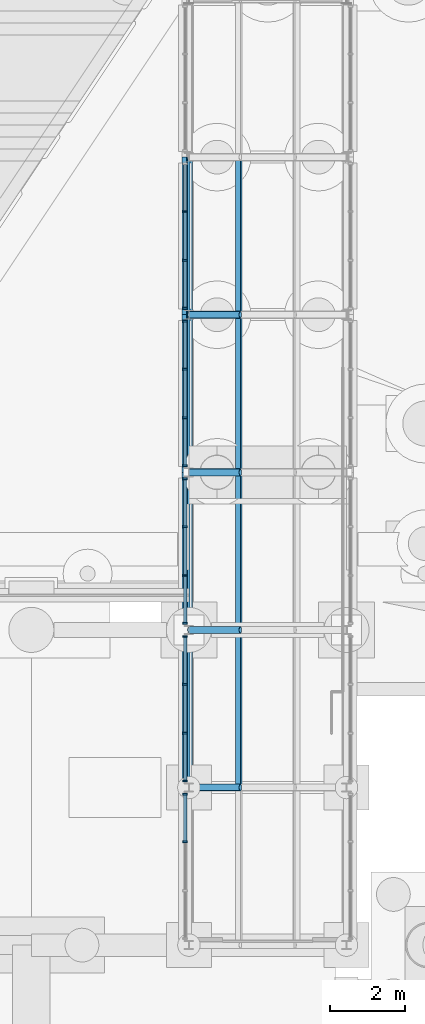
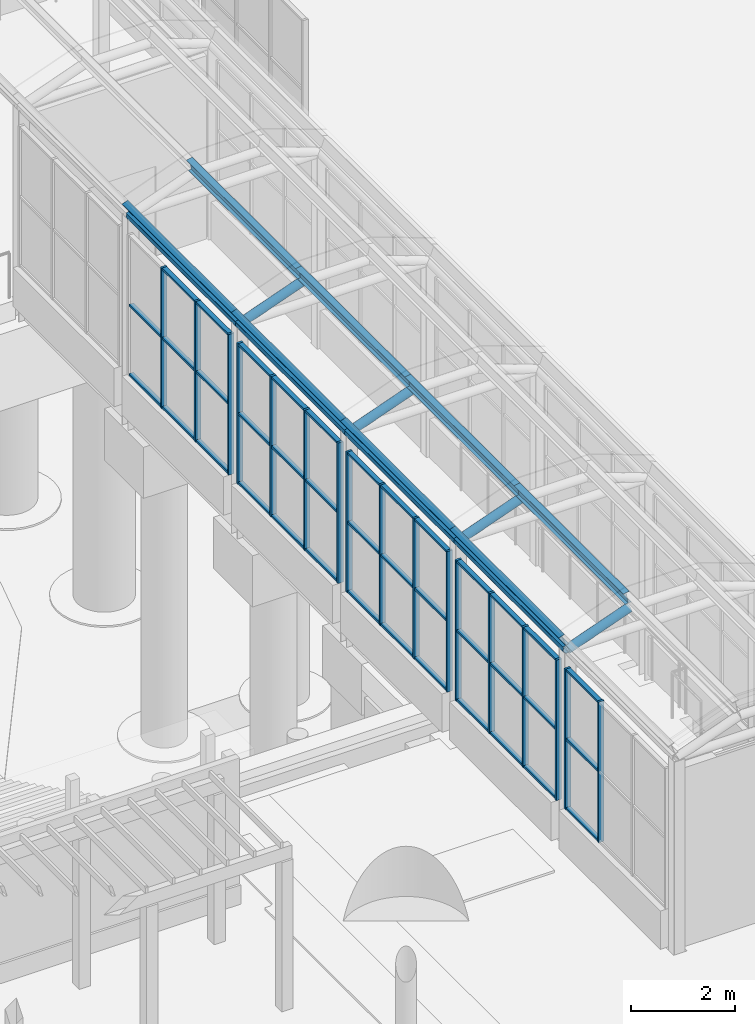
# One storey, part 62 of 222: 63 members, 8 beams, 5 elements without a shape of their own.
"""IFC4 building model written with IfcOpenShell, lengths in metres."""

from ifc_helpers import new_model, si_unit, direction, frame, origin, origin_2d, place, context, subcontext, project, spatial, rectangle, hollow_circle, i_section, extrude, material, material_profile, profile_set, type_object, element, aggregate, save


model = new_model("IFC4")

# Units and contexts
model_context = context("Model", 3, precision=1e-05, world=origin(), true_north=direction((0.0, 1.0)))
body_context = subcontext(model_context, "Body", "Model", "MODEL_VIEW")
ifc_project = project(units=[si_unit("LENGTHUNIT", "METRE"), si_unit("AREAUNIT", "SQUARE_METRE"), si_unit("VOLUMEUNIT", "CUBIC_METRE"), si_unit("PLANEANGLEUNIT", "RADIAN"), si_unit("MASSUNIT", "GRAM", prefix="KILO")], contexts=[model_context])

# Site, building, storey
site_placement = place(None, origin())
site = spatial("IfcSite", under=ifc_project, at=site_placement, CompositionType="ELEMENT")
building_placement = place(site_placement, origin())
building = spatial("IfcBuilding", under=site, at=building_placement, Name="Sava Quay Ferry Terminal", CompositionType="ELEMENT")
storey_placement = place(building_placement, origin())
storey = spatial("IfcBuildingStorey", under=building, at=storey_placement, Name="L00", CompositionType="ELEMENT", Elevation=0.0)

# Beams
ifc_material_1 = material(Name="Steel S355", Category="steel")
ifc_material_profile_1 = material_profile(ifc_material_1, hollow_circle(Radius=0.096923828125, WallThickness=0.008056640625, at=origin_2d()), Name="CHS 193.7 x 8.0")
ifc_profile_set_1 = profile_set([ifc_material_profile_1], Name="Steel S355")
beam_type_1 = type_object("IfcBeamType", Name="Gallery eave beam CHS 193.7x8", PredefinedType="BEAM", material=ifc_profile_set_1)
beam_placement = place(storey_placement, frame((46.199951171875, 113.39990234375, 4.5), z_axis=(0.0, 1.0, 0.0), x_axis=(-1.0, 0.0, 0.0)))
element("IfcBeam", 1, at=beam_placement, inside=storey, type_object=beam_type_1, Name="Boarding gallery B1 eave beam L2", PredefinedType="BEAM", context=body_context, shape_type="SweptSolid", body=[
    extrude(hollow_circle(Radius=0.096923828125, WallThickness=0.008056640625, at=origin_2d()), origin(), (0.0, 0.0, 1.0), 4.2001953125),
])
for number, where, z_axis, x_axis, name in (
    (2, (46.199951171875, 117.60009765625, 4.5), (0.0, 1.0, 0.0), (-1.0, 0.0, 0.0), "Boarding gallery B1 eave beam L3"),
    (3, (46.199951171875, 121.800048828125, 4.5), (0.0, 1.0, 0.0), (-1.0, 0.0, 0.0), "Boarding gallery B1 eave beam L4"),
    (4, (46.199951171875, 126.0, 4.5), (0.0, 1.0, 0.0), (-1.0, 0.0, 0.0), "Boarding gallery B1 eave beam L5"),
):
    element("IfcBeam", number, at=place(storey_placement, frame(where, z_axis=z_axis, x_axis=x_axis)), inside=storey, type_object=beam_type_1, Name=name, PredefinedType="BEAM", context=body_context, shape_type="SweptSolid", body=[
        extrude(hollow_circle(Radius=0.096923828125, WallThickness=0.008056640625, at=origin_2d()), origin(), (0.0, 0.0, 1.0), 4.199951171875),
    ])

# Members
ifc_material_2 = material(Name="Steel S355", Category="steel")
ifc_material_profile_2 = material_profile(ifc_material_2, i_section(OverallWidth=0.135009765625, OverallDepth=0.27001953125, WebThickness=0.006591796875, FlangeThickness=0.01025390625, at=origin_2d()), Name="IPE 270")
ifc_profile_set_2 = profile_set([ifc_material_profile_2], Name="Steel S355")
member_type_1 = type_object("IfcMemberType", Name="Gallery purlin IPE 270", PredefinedType="PURLIN", material=ifc_profile_set_2)
for number, where, z_axis, x_axis, name in (
    (5, (46.12060546875, 113.39990234375, 4.718017578125), (0.0, 1.0, 0.0), (-0.939692620786, 0.0, -0.342020143326), "Boarding gallery B1 edge purlin bay 2 V0"),
    (6, (47.52978515625, 113.39990234375, 5.230712890625), (0.0, 1.0, 0.0), (-0.984807753012, 0.0, -0.173648177667), "Boarding gallery B1 purlin bay 2 V1"),
):
    element("IfcMember", number, at=place(storey_placement, frame(where, z_axis=z_axis, x_axis=x_axis)), inside=storey, type_object=member_type_1, Name=name, PredefinedType="PURLIN", context=body_context, shape_type="SweptSolid", body=[
        extrude(i_section(OverallWidth=0.135009765625, OverallDepth=0.27001953125, WebThickness=0.006591796875, FlangeThickness=0.01025390625, at=origin_2d()), origin(), (0.0, 0.0, 1.0), 4.2001953125),
    ])
for number, where, z_axis, x_axis, name in (
    (7, (46.12060546875, 117.60009765625, 4.718017578125), (0.0, 1.0, 0.0), (-0.939692620786, 0.0, -0.342020143326), "Boarding gallery B1 edge purlin bay 3 V0"),
    (8, (47.52978515625, 117.60009765625, 5.230712890625), (0.0, 1.0, 0.0), (-0.984807753012, 0.0, -0.173648177667), "Boarding gallery B1 purlin bay 3 V1"),
    (9, (46.12060546875, 121.800048828125, 4.718017578125), (0.0, 1.0, 0.0), (-0.939692620786, 0.0, -0.342020143326), "Boarding gallery B1 edge purlin bay 4 V0"),
    (10, (47.52978515625, 121.800048828125, 5.230712890625), (0.0, 1.0, 0.0), (-0.984807753012, 0.0, -0.173648177667), "Boarding gallery B1 purlin bay 4 V1"),
    (11, (46.12060546875, 126.0, 4.718017578125), (0.0, 1.0, 0.0), (-0.939692620786, 0.0, -0.342020143326), "Boarding gallery B1 edge purlin bay 5 V0"),
    (12, (47.52978515625, 126.0, 5.230712890625), (0.0, 1.0, 0.0), (-0.984807753012, 0.0, -0.173648177667), "Boarding gallery B1 purlin bay 5 V1"),
):
    element("IfcMember", number, at=place(storey_placement, frame(where, z_axis=z_axis, x_axis=x_axis)), inside=storey, type_object=member_type_1, Name=name, PredefinedType="PURLIN", context=body_context, shape_type="SweptSolid", body=[
        extrude(i_section(OverallWidth=0.135009765625, OverallDepth=0.27001953125, WebThickness=0.006591796875, FlangeThickness=0.01025390625, at=origin_2d()), origin(), (0.0, 0.0, 1.0), 4.199951171875),
    ])

# Beams
ifc_material_3 = material(Name="Steel S355", Category="steel")
ifc_material_profile_3 = material_profile(ifc_material_3, hollow_circle(Radius=0.096923828125, WallThickness=0.008056640625, at=origin_2d()), Name="CHS 193.7 x 8.0")
ifc_profile_set_3 = profile_set([ifc_material_profile_3], Name="Steel S355")
beam_type_2 = type_object("IfcBeamType", Name="Gallery rib CHS 193.7x8", PredefinedType="BEAM", material=ifc_profile_set_3)
for number, where, z_axis, x_axis, name in (
    (13, (46.199951171875, 113.39990234375, 4.5), (0.939710313144, 0.0, 0.341971530059), (0.0, 1.0, 0.0), "Boarding gallery B1 arch rib R1 seg 1"),
    (14, (46.199951171875, 117.60009765625, 4.5), (0.939710313144, 0.0, 0.341971530059), (0.0, 1.0, 0.0), "Boarding gallery B1 arch rib R2 seg 1"),
    (15, (46.199951171875, 121.800048828125, 4.5), (0.939710313144, 0.0, 0.341971530059), (0.0, 1.0, 0.0), "Boarding gallery B1 arch rib R3 seg 1"),
    (16, (46.199951171875, 126.0, 4.5), (0.939710313144, 0.0, 0.341971530059), (0.0, 1.0, 0.0), "Boarding gallery B1 arch rib R4 seg 1"),
):
    element("IfcBeam", number, at=place(storey_placement, frame(where, z_axis=z_axis, x_axis=x_axis)), inside=storey, type_object=beam_type_2, Name=name, PredefinedType="BEAM", context=body_context, shape_type="SweptSolid", body=[
        extrude(hollow_circle(Radius=0.096923828125, WallThickness=0.008056640625, at=origin_2d()), origin(), (0.0, 0.0, 1.0), 1.45849609375),
    ])

# Curtain wall, members
ifc_material_4 = material(Name="Aluminium and glass curtain wall, double glazed", Category="aluminium")
curtain_wall_type = type_object("IfcCurtainWallType", Name="Curtain wall CW-B gallery", PredefinedType="NOTDEFINED", material=ifc_material_4)
curtain_wall_1_placement = place(storey_placement, origin())
curtain_wall_1 = element("IfcCurtainWall", 17, at=curtain_wall_1_placement, inside=storey, type_object=curtain_wall_type, Name="Curtain wall B1-W L00 bay 1", PredefinedType="NOTDEFINED")
ifc_material_5 = material(Name="Aluminium EN AW-6063 T6", Category="aluminium")
ifc_material_profile_4 = material_profile(ifc_material_5, rectangle(XDim=0.1201171875, YDim=0.050048828125, at=origin_2d()), Name="Mullion 50x120 aluminium")
ifc_profile_set_4 = profile_set([ifc_material_profile_4], Name="Aluminium EN AW-6063 T6")
member_type_2 = type_object("IfcMemberType", Name="Mullion 50x120 aluminium", PredefinedType="MULLION", material=ifc_profile_set_4)
member_1_placement = place(storey_placement, frame((46.10009765625, 111.949951171875, 0.89990234375), z_axis=(0.0, 0.0, 1.0), x_axis=(-1.0, 0.0, 0.0)))
member_1 = element("IfcMember", 18, at=member_1_placement, type_object=member_type_2, Name="CW13 mullion 3", PredefinedType="MULLION", context=body_context, shape_type="SweptSolid", body=[
    extrude(rectangle(XDim=0.1201171875, YDim=0.050048828125, at=origin_2d()), origin(), (0.0, 0.0, 1.0), 3.300048828125),
])
member_2_placement = place(storey_placement, frame((46.10009765625, 113.22509765625, 0.89990234375), z_axis=(0.0, 0.0, 1.0), x_axis=(-1.0, 0.0, 0.0)))
member_2 = element("IfcMember", 19, at=member_2_placement, type_object=member_type_2, Name="CW13 mullion 4", PredefinedType="MULLION", context=body_context, shape_type="SweptSolid", body=[
    extrude(rectangle(XDim=0.1201171875, YDim=0.050048828125, at=origin_2d()), origin(), (0.0, 0.0, 1.0), 3.300048828125),
])

curtain_wall_2_placement = place(storey_placement, origin())
curtain_wall_2 = element("IfcCurtainWall", 20, at=curtain_wall_2_placement, inside=storey, type_object=curtain_wall_type, Name="Curtain wall B1-W L00 bay 2", PredefinedType="NOTDEFINED")
member_3_placement = place(storey_placement, frame((46.10009765625, 113.574951171875, 0.89990234375), z_axis=(0.0, 0.0, 1.0), x_axis=(-1.0, 0.0, 0.0)))
member_3 = element("IfcMember", 21, at=member_3_placement, type_object=member_type_2, Name="CW14 mullion 1", PredefinedType="MULLION", context=body_context, shape_type="SweptSolid", body=[
    extrude(rectangle(XDim=0.1201171875, YDim=0.050048828125, at=origin_2d()), origin(), (0.0, 0.0, 1.0), 3.300048828125),
])
member_4_placement = place(storey_placement, frame((46.10009765625, 114.85009765625, 0.89990234375), z_axis=(0.0, 0.0, 1.0), x_axis=(-1.0, 0.0, 0.0)))
member_4 = element("IfcMember", 22, at=member_4_placement, type_object=member_type_2, Name="CW14 mullion 2", PredefinedType="MULLION", context=body_context, shape_type="SweptSolid", body=[
    extrude(rectangle(XDim=0.1201171875, YDim=0.050048828125, at=origin_2d()), origin(), (0.0, 0.0, 1.0), 3.300048828125),
])
member_5_placement = place(storey_placement, frame((46.10009765625, 116.14990234375, 0.89990234375), z_axis=(0.0, 0.0, 1.0), x_axis=(-1.0, 0.0, 0.0)))
member_5 = element("IfcMember", 23, at=member_5_placement, type_object=member_type_2, Name="CW14 mullion 3", PredefinedType="MULLION", context=body_context, shape_type="SweptSolid", body=[
    extrude(rectangle(XDim=0.1201171875, YDim=0.050048828125, at=origin_2d()), origin(), (0.0, 0.0, 1.0), 3.300048828125),
])
member_6_placement = place(storey_placement, frame((46.10009765625, 117.425048828125, 0.89990234375), z_axis=(0.0, 0.0, 1.0), x_axis=(-1.0, 0.0, 0.0)))
member_6 = element("IfcMember", 24, at=member_6_placement, type_object=member_type_2, Name="CW14 mullion 4", PredefinedType="MULLION", context=body_context, shape_type="SweptSolid", body=[
    extrude(rectangle(XDim=0.1201171875, YDim=0.050048828125, at=origin_2d()), origin(), (0.0, 0.0, 1.0), 3.300048828125),
])

curtain_wall_3_placement = place(storey_placement, origin())
curtain_wall_3 = element("IfcCurtainWall", 25, at=curtain_wall_3_placement, inside=storey, type_object=curtain_wall_type, Name="Curtain wall B1-W L00 bay 3", PredefinedType="NOTDEFINED")
member_7_placement = place(storey_placement, frame((46.10009765625, 117.77490234375, 0.89990234375), z_axis=(0.0, 0.0, 1.0), x_axis=(-1.0, 0.0, 0.0)))
member_7 = element("IfcMember", 26, at=member_7_placement, type_object=member_type_2, Name="CW15 mullion 1", PredefinedType="MULLION", context=body_context, shape_type="SweptSolid", body=[
    extrude(rectangle(XDim=0.1201171875, YDim=0.050048828125, at=origin_2d()), origin(), (0.0, 0.0, 1.0), 3.300048828125),
])
member_8_placement = place(storey_placement, frame((46.10009765625, 119.050048828125, 0.89990234375), z_axis=(0.0, 0.0, 1.0), x_axis=(-1.0, 0.0, 0.0)))
member_8 = element("IfcMember", 27, at=member_8_placement, type_object=member_type_2, Name="CW15 mullion 2", PredefinedType="MULLION", context=body_context, shape_type="SweptSolid", body=[
    extrude(rectangle(XDim=0.1201171875, YDim=0.050048828125, at=origin_2d()), origin(), (0.0, 0.0, 1.0), 3.300048828125),
])
member_9_placement = place(storey_placement, frame((46.10009765625, 120.35009765625, 0.89990234375), z_axis=(0.0, 0.0, 1.0), x_axis=(-1.0, 0.0, 0.0)))
member_9 = element("IfcMember", 28, at=member_9_placement, type_object=member_type_2, Name="CW15 mullion 3", PredefinedType="MULLION", context=body_context, shape_type="SweptSolid", body=[
    extrude(rectangle(XDim=0.1201171875, YDim=0.050048828125, at=origin_2d()), origin(), (0.0, 0.0, 1.0), 3.300048828125),
])
member_10_placement = place(storey_placement, frame((46.10009765625, 121.625, 0.89990234375), z_axis=(0.0, 0.0, 1.0), x_axis=(-1.0, 0.0, 0.0)))
member_10 = element("IfcMember", 29, at=member_10_placement, type_object=member_type_2, Name="CW15 mullion 4", PredefinedType="MULLION", context=body_context, shape_type="SweptSolid", body=[
    extrude(rectangle(XDim=0.1201171875, YDim=0.050048828125, at=origin_2d()), origin(), (0.0, 0.0, 1.0), 3.300048828125),
])

curtain_wall_4_placement = place(storey_placement, origin())
curtain_wall_4 = element("IfcCurtainWall", 30, at=curtain_wall_4_placement, inside=storey, type_object=curtain_wall_type, Name="Curtain wall B1-W L00 bay 4", PredefinedType="NOTDEFINED")
member_11_placement = place(storey_placement, frame((46.10009765625, 121.97509765625, 0.89990234375), z_axis=(0.0, 0.0, 1.0), x_axis=(-1.0, 0.0, 0.0)))
member_11 = element("IfcMember", 31, at=member_11_placement, type_object=member_type_2, Name="CW16 mullion 1", PredefinedType="MULLION", context=body_context, shape_type="SweptSolid", body=[
    extrude(rectangle(XDim=0.1201171875, YDim=0.050048828125, at=origin_2d()), origin(), (0.0, 0.0, 1.0), 3.300048828125),
])
member_12_placement = place(storey_placement, frame((46.10009765625, 123.25, 0.89990234375), z_axis=(0.0, 0.0, 1.0), x_axis=(-1.0, 0.0, 0.0)))
member_12 = element("IfcMember", 32, at=member_12_placement, type_object=member_type_2, Name="CW16 mullion 2", PredefinedType="MULLION", context=body_context, shape_type="SweptSolid", body=[
    extrude(rectangle(XDim=0.1201171875, YDim=0.050048828125, at=origin_2d()), origin(), (0.0, 0.0, 1.0), 3.300048828125),
])
member_13_placement = place(storey_placement, frame((46.10009765625, 124.550048828125, 0.89990234375), z_axis=(0.0, 0.0, 1.0), x_axis=(-1.0, 0.0, 0.0)))
member_13 = element("IfcMember", 33, at=member_13_placement, type_object=member_type_2, Name="CW16 mullion 3", PredefinedType="MULLION", context=body_context, shape_type="SweptSolid", body=[
    extrude(rectangle(XDim=0.1201171875, YDim=0.050048828125, at=origin_2d()), origin(), (0.0, 0.0, 1.0), 3.300048828125),
])
member_14_placement = place(storey_placement, frame((46.10009765625, 125.824951171875, 0.89990234375), z_axis=(0.0, 0.0, 1.0), x_axis=(-1.0, 0.0, 0.0)))
member_14 = element("IfcMember", 34, at=member_14_placement, type_object=member_type_2, Name="CW16 mullion 4", PredefinedType="MULLION", context=body_context, shape_type="SweptSolid", body=[
    extrude(rectangle(XDim=0.1201171875, YDim=0.050048828125, at=origin_2d()), origin(), (0.0, 0.0, 1.0), 3.300048828125),
])

curtain_wall_5_placement = place(storey_placement, origin())
curtain_wall_5 = element("IfcCurtainWall", 35, at=curtain_wall_5_placement, inside=storey, type_object=curtain_wall_type, Name="Curtain wall B1-W L00 bay 5", PredefinedType="NOTDEFINED")
member_15_placement = place(storey_placement, frame((46.10009765625, 126.175048828125, 0.89990234375), z_axis=(0.0, 0.0, 1.0), x_axis=(-1.0, 0.0, 0.0)))
member_15 = element("IfcMember", 36, at=member_15_placement, type_object=member_type_2, Name="CW17 mullion 1", PredefinedType="MULLION", context=body_context, shape_type="SweptSolid", body=[
    extrude(rectangle(XDim=0.1201171875, YDim=0.050048828125, at=origin_2d()), origin(), (0.0, 0.0, 1.0), 3.300048828125),
])
member_16_placement = place(storey_placement, frame((46.10009765625, 127.449951171875, 0.89990234375), z_axis=(0.0, 0.0, 1.0), x_axis=(-1.0, 0.0, 0.0)))
member_16 = element("IfcMember", 37, at=member_16_placement, type_object=member_type_2, Name="CW17 mullion 2", PredefinedType="MULLION", context=body_context, shape_type="SweptSolid", body=[
    extrude(rectangle(XDim=0.1201171875, YDim=0.050048828125, at=origin_2d()), origin(), (0.0, 0.0, 1.0), 3.300048828125),
])
member_17_placement = place(storey_placement, frame((46.10009765625, 128.75, 0.89990234375), z_axis=(0.0, 0.0, 1.0), x_axis=(-1.0, 0.0, 0.0)))
member_17 = element("IfcMember", 38, at=member_17_placement, type_object=member_type_2, Name="CW17 mullion 3", PredefinedType="MULLION", context=body_context, shape_type="SweptSolid", body=[
    extrude(rectangle(XDim=0.1201171875, YDim=0.050048828125, at=origin_2d()), origin(), (0.0, 0.0, 1.0), 3.300048828125),
])

# Member
ifc_material_6 = material(Name="Aluminium EN AW-6063 T6", Category="aluminium")
ifc_material_profile_5 = material_profile(ifc_material_6, rectangle(XDim=0.10009765625, YDim=0.050048828125, at=origin_2d()), Name="Transom 50x100 aluminium")
ifc_profile_set_5 = profile_set([ifc_material_profile_5], Name="Aluminium EN AW-6063 T6")
member_type_3 = type_object("IfcMemberType", Name="Transom 50x100 aluminium", PredefinedType="USERDEFINED", material=ifc_profile_set_5)
member_18_placement = place(storey_placement, frame((46.10009765625, 111.97509765625, 0.925048828125), z_axis=(0.0, 1.0, 0.0), x_axis=(-1.0, 0.0, 0.0)))
member_18 = element("IfcMember", 39, at=member_18_placement, type_object=member_type_3, Name="CW13 transom 3.1", ObjectType="TRANSOM", PredefinedType="USERDEFINED", context=body_context, shape_type="SweptSolid", body=[
    extrude(rectangle(XDim=0.10009765625, YDim=0.050048828125, at=origin_2d()), origin(), (0.0, 0.0, 1.0), 1.224853515625),
])

member_19_placement = place(storey_placement, frame((46.10009765625, 111.97509765625, 2.550048828125), z_axis=(0.0, 1.0, 0.0), x_axis=(-1.0, 0.0, 0.0)))
member_19 = element("IfcMember", 40, at=member_19_placement, type_object=member_type_3, Name="CW13 transom 3.2", ObjectType="TRANSOM", PredefinedType="USERDEFINED", context=body_context, shape_type="SweptSolid", body=[
    extrude(rectangle(XDim=0.10009765625, YDim=0.050048828125, at=origin_2d()), origin(), (0.0, 0.0, 1.0), 1.224853515625),
])

member_20_placement = place(storey_placement, frame((46.10009765625, 111.97509765625, 4.175048828125), z_axis=(0.0, 1.0, 0.0), x_axis=(-1.0, 0.0, 0.0)))
member_20 = element("IfcMember", 41, at=member_20_placement, type_object=member_type_3, Name="CW13 transom 3.3", ObjectType="TRANSOM", PredefinedType="USERDEFINED", context=body_context, shape_type="SweptSolid", body=[
    extrude(rectangle(XDim=0.10009765625, YDim=0.050048828125, at=origin_2d()), origin(), (0.0, 0.0, 1.0), 1.224853515625),
])

aggregate(curtain_wall_1, [member_1, member_2, member_18, member_19, member_20])

member_21_placement = place(storey_placement, frame((46.10009765625, 113.60009765625, 0.925048828125), z_axis=(0.0, 1.0, 0.0), x_axis=(-1.0, 0.0, 0.0)))
member_21 = element("IfcMember", 42, at=member_21_placement, type_object=member_type_3, Name="CW14 transom 1.1", ObjectType="TRANSOM", PredefinedType="USERDEFINED", context=body_context, shape_type="SweptSolid", body=[
    extrude(rectangle(XDim=0.10009765625, YDim=0.050048828125, at=origin_2d()), origin(), (0.0, 0.0, 1.0), 1.224853515625),
])

member_22_placement = place(storey_placement, frame((46.10009765625, 113.60009765625, 2.550048828125), z_axis=(0.0, 1.0, 0.0), x_axis=(-1.0, 0.0, 0.0)))
member_22 = element("IfcMember", 43, at=member_22_placement, type_object=member_type_3, Name="CW14 transom 1.2", ObjectType="TRANSOM", PredefinedType="USERDEFINED", context=body_context, shape_type="SweptSolid", body=[
    extrude(rectangle(XDim=0.10009765625, YDim=0.050048828125, at=origin_2d()), origin(), (0.0, 0.0, 1.0), 1.224853515625),
])

member_23_placement = place(storey_placement, frame((46.10009765625, 113.60009765625, 4.175048828125), z_axis=(0.0, 1.0, 0.0), x_axis=(-1.0, 0.0, 0.0)))
member_23 = element("IfcMember", 44, at=member_23_placement, type_object=member_type_3, Name="CW14 transom 1.3", ObjectType="TRANSOM", PredefinedType="USERDEFINED", context=body_context, shape_type="SweptSolid", body=[
    extrude(rectangle(XDim=0.10009765625, YDim=0.050048828125, at=origin_2d()), origin(), (0.0, 0.0, 1.0), 1.224853515625),
])

member_24_placement = place(storey_placement, frame((46.10009765625, 114.875, 0.925048828125), z_axis=(0.0, 1.0, 0.0), x_axis=(-1.0, 0.0, 0.0)))
member_24 = element("IfcMember", 45, at=member_24_placement, type_object=member_type_3, Name="CW14 transom 2.1", ObjectType="TRANSOM", PredefinedType="USERDEFINED", context=body_context, shape_type="SweptSolid", body=[
    extrude(rectangle(XDim=0.10009765625, YDim=0.050048828125, at=origin_2d()), origin(), (0.0, 0.0, 1.0), 1.25),
])

member_25_placement = place(storey_placement, frame((46.10009765625, 114.875, 2.550048828125), z_axis=(0.0, 1.0, 0.0), x_axis=(-1.0, 0.0, 0.0)))
member_25 = element("IfcMember", 46, at=member_25_placement, type_object=member_type_3, Name="CW14 transom 2.2", ObjectType="TRANSOM", PredefinedType="USERDEFINED", context=body_context, shape_type="SweptSolid", body=[
    extrude(rectangle(XDim=0.10009765625, YDim=0.050048828125, at=origin_2d()), origin(), (0.0, 0.0, 1.0), 1.25),
])

member_26_placement = place(storey_placement, frame((46.10009765625, 114.875, 4.175048828125), z_axis=(0.0, 1.0, 0.0), x_axis=(-1.0, 0.0, 0.0)))
member_26 = element("IfcMember", 47, at=member_26_placement, type_object=member_type_3, Name="CW14 transom 2.3", ObjectType="TRANSOM", PredefinedType="USERDEFINED", context=body_context, shape_type="SweptSolid", body=[
    extrude(rectangle(XDim=0.10009765625, YDim=0.050048828125, at=origin_2d()), origin(), (0.0, 0.0, 1.0), 1.25),
])

member_27_placement = place(storey_placement, frame((46.10009765625, 116.175048828125, 0.925048828125), z_axis=(0.0, 1.0, 0.0), x_axis=(-1.0, 0.0, 0.0)))
member_27 = element("IfcMember", 48, at=member_27_placement, type_object=member_type_3, Name="CW14 transom 3.1", ObjectType="TRANSOM", PredefinedType="USERDEFINED", context=body_context, shape_type="SweptSolid", body=[
    extrude(rectangle(XDim=0.10009765625, YDim=0.050048828125, at=origin_2d()), origin(), (0.0, 0.0, 1.0), 1.224853515625),
])

member_28_placement = place(storey_placement, frame((46.10009765625, 116.175048828125, 2.550048828125), z_axis=(0.0, 1.0, 0.0), x_axis=(-1.0, 0.0, 0.0)))
member_28 = element("IfcMember", 49, at=member_28_placement, type_object=member_type_3, Name="CW14 transom 3.2", ObjectType="TRANSOM", PredefinedType="USERDEFINED", context=body_context, shape_type="SweptSolid", body=[
    extrude(rectangle(XDim=0.10009765625, YDim=0.050048828125, at=origin_2d()), origin(), (0.0, 0.0, 1.0), 1.224853515625),
])

member_29_placement = place(storey_placement, frame((46.10009765625, 116.175048828125, 4.175048828125), z_axis=(0.0, 1.0, 0.0), x_axis=(-1.0, 0.0, 0.0)))
member_29 = element("IfcMember", 50, at=member_29_placement, type_object=member_type_3, Name="CW14 transom 3.3", ObjectType="TRANSOM", PredefinedType="USERDEFINED", context=body_context, shape_type="SweptSolid", body=[
    extrude(rectangle(XDim=0.10009765625, YDim=0.050048828125, at=origin_2d()), origin(), (0.0, 0.0, 1.0), 1.224853515625),
])

aggregate(curtain_wall_2, [member_3, member_4, member_5, member_6, member_21, member_22, member_23, member_24, member_25, member_26, member_27, member_28, member_29])

member_30_placement = place(storey_placement, frame((46.10009765625, 117.800048828125, 0.925048828125), z_axis=(0.0, 1.0, 0.0), x_axis=(-1.0, 0.0, 0.0)))
member_30 = element("IfcMember", 51, at=member_30_placement, type_object=member_type_3, Name="CW15 transom 1.1", ObjectType="TRANSOM", PredefinedType="USERDEFINED", context=body_context, shape_type="SweptSolid", body=[
    extrude(rectangle(XDim=0.10009765625, YDim=0.050048828125, at=origin_2d()), origin(), (0.0, 0.0, 1.0), 1.224853515625),
])

member_31_placement = place(storey_placement, frame((46.10009765625, 117.800048828125, 2.550048828125), z_axis=(0.0, 1.0, 0.0), x_axis=(-1.0, 0.0, 0.0)))
member_31 = element("IfcMember", 52, at=member_31_placement, type_object=member_type_3, Name="CW15 transom 1.2", ObjectType="TRANSOM", PredefinedType="USERDEFINED", context=body_context, shape_type="SweptSolid", body=[
    extrude(rectangle(XDim=0.10009765625, YDim=0.050048828125, at=origin_2d()), origin(), (0.0, 0.0, 1.0), 1.224853515625),
])

member_32_placement = place(storey_placement, frame((46.10009765625, 117.800048828125, 4.175048828125), z_axis=(0.0, 1.0, 0.0), x_axis=(-1.0, 0.0, 0.0)))
member_32 = element("IfcMember", 53, at=member_32_placement, type_object=member_type_3, Name="CW15 transom 1.3", ObjectType="TRANSOM", PredefinedType="USERDEFINED", context=body_context, shape_type="SweptSolid", body=[
    extrude(rectangle(XDim=0.10009765625, YDim=0.050048828125, at=origin_2d()), origin(), (0.0, 0.0, 1.0), 1.224853515625),
])

member_33_placement = place(storey_placement, frame((46.10009765625, 119.074951171875, 0.925048828125), z_axis=(0.0, 1.0, 0.0), x_axis=(-1.0, 0.0, 0.0)))
member_33 = element("IfcMember", 54, at=member_33_placement, type_object=member_type_3, Name="CW15 transom 2.1", ObjectType="TRANSOM", PredefinedType="USERDEFINED", context=body_context, shape_type="SweptSolid", body=[
    extrude(rectangle(XDim=0.10009765625, YDim=0.050048828125, at=origin_2d()), origin(), (0.0, 0.0, 1.0), 1.25),
])

member_34_placement = place(storey_placement, frame((46.10009765625, 119.074951171875, 2.550048828125), z_axis=(0.0, 1.0, 0.0), x_axis=(-1.0, 0.0, 0.0)))
member_34 = element("IfcMember", 55, at=member_34_placement, type_object=member_type_3, Name="CW15 transom 2.2", ObjectType="TRANSOM", PredefinedType="USERDEFINED", context=body_context, shape_type="SweptSolid", body=[
    extrude(rectangle(XDim=0.10009765625, YDim=0.050048828125, at=origin_2d()), origin(), (0.0, 0.0, 1.0), 1.25),
])

member_35_placement = place(storey_placement, frame((46.10009765625, 119.074951171875, 4.175048828125), z_axis=(0.0, 1.0, 0.0), x_axis=(-1.0, 0.0, 0.0)))
member_35 = element("IfcMember", 56, at=member_35_placement, type_object=member_type_3, Name="CW15 transom 2.3", ObjectType="TRANSOM", PredefinedType="USERDEFINED", context=body_context, shape_type="SweptSolid", body=[
    extrude(rectangle(XDim=0.10009765625, YDim=0.050048828125, at=origin_2d()), origin(), (0.0, 0.0, 1.0), 1.25),
])

member_36_placement = place(storey_placement, frame((46.10009765625, 120.375, 0.925048828125), z_axis=(0.0, 1.0, 0.0), x_axis=(-1.0, 0.0, 0.0)))
member_36 = element("IfcMember", 57, at=member_36_placement, type_object=member_type_3, Name="CW15 transom 3.1", ObjectType="TRANSOM", PredefinedType="USERDEFINED", context=body_context, shape_type="SweptSolid", body=[
    extrude(rectangle(XDim=0.10009765625, YDim=0.050048828125, at=origin_2d()), origin(), (0.0, 0.0, 1.0), 1.22509765625),
])

member_37_placement = place(storey_placement, frame((46.10009765625, 120.375, 2.550048828125), z_axis=(0.0, 1.0, 0.0), x_axis=(-1.0, 0.0, 0.0)))
member_37 = element("IfcMember", 58, at=member_37_placement, type_object=member_type_3, Name="CW15 transom 3.2", ObjectType="TRANSOM", PredefinedType="USERDEFINED", context=body_context, shape_type="SweptSolid", body=[
    extrude(rectangle(XDim=0.10009765625, YDim=0.050048828125, at=origin_2d()), origin(), (0.0, 0.0, 1.0), 1.22509765625),
])

member_38_placement = place(storey_placement, frame((46.10009765625, 120.375, 4.175048828125), z_axis=(0.0, 1.0, 0.0), x_axis=(-1.0, 0.0, 0.0)))
member_38 = element("IfcMember", 59, at=member_38_placement, type_object=member_type_3, Name="CW15 transom 3.3", ObjectType="TRANSOM", PredefinedType="USERDEFINED", context=body_context, shape_type="SweptSolid", body=[
    extrude(rectangle(XDim=0.10009765625, YDim=0.050048828125, at=origin_2d()), origin(), (0.0, 0.0, 1.0), 1.22509765625),
])

aggregate(curtain_wall_3, [member_7, member_8, member_9, member_10, member_30, member_31, member_32, member_33, member_34, member_35, member_36, member_37, member_38])

member_39_placement = place(storey_placement, frame((46.10009765625, 122.0, 0.925048828125), z_axis=(0.0, 1.0, 0.0), x_axis=(-1.0, 0.0, 0.0)))
member_39 = element("IfcMember", 60, at=member_39_placement, type_object=member_type_3, Name="CW16 transom 1.1", ObjectType="TRANSOM", PredefinedType="USERDEFINED", context=body_context, shape_type="SweptSolid", body=[
    extrude(rectangle(XDim=0.10009765625, YDim=0.050048828125, at=origin_2d()), origin(), (0.0, 0.0, 1.0), 1.22509765625),
])

member_40_placement = place(storey_placement, frame((46.10009765625, 122.0, 2.550048828125), z_axis=(0.0, 1.0, 0.0), x_axis=(-1.0, 0.0, 0.0)))
member_40 = element("IfcMember", 61, at=member_40_placement, type_object=member_type_3, Name="CW16 transom 1.2", ObjectType="TRANSOM", PredefinedType="USERDEFINED", context=body_context, shape_type="SweptSolid", body=[
    extrude(rectangle(XDim=0.10009765625, YDim=0.050048828125, at=origin_2d()), origin(), (0.0, 0.0, 1.0), 1.22509765625),
])

member_41_placement = place(storey_placement, frame((46.10009765625, 122.0, 4.175048828125), z_axis=(0.0, 1.0, 0.0), x_axis=(-1.0, 0.0, 0.0)))
member_41 = element("IfcMember", 62, at=member_41_placement, type_object=member_type_3, Name="CW16 transom 1.3", ObjectType="TRANSOM", PredefinedType="USERDEFINED", context=body_context, shape_type="SweptSolid", body=[
    extrude(rectangle(XDim=0.10009765625, YDim=0.050048828125, at=origin_2d()), origin(), (0.0, 0.0, 1.0), 1.22509765625),
])

member_42_placement = place(storey_placement, frame((46.10009765625, 123.27490234375, 0.925048828125), z_axis=(0.0, 1.0, 0.0), x_axis=(-1.0, 0.0, 0.0)))
member_42 = element("IfcMember", 63, at=member_42_placement, type_object=member_type_3, Name="CW16 transom 2.1", ObjectType="TRANSOM", PredefinedType="USERDEFINED", context=body_context, shape_type="SweptSolid", body=[
    extrude(rectangle(XDim=0.10009765625, YDim=0.050048828125, at=origin_2d()), origin(), (0.0, 0.0, 1.0), 1.25),
])

member_43_placement = place(storey_placement, frame((46.10009765625, 123.27490234375, 2.550048828125), z_axis=(0.0, 1.0, 0.0), x_axis=(-1.0, 0.0, 0.0)))
member_43 = element("IfcMember", 64, at=member_43_placement, type_object=member_type_3, Name="CW16 transom 2.2", ObjectType="TRANSOM", PredefinedType="USERDEFINED", context=body_context, shape_type="SweptSolid", body=[
    extrude(rectangle(XDim=0.10009765625, YDim=0.050048828125, at=origin_2d()), origin(), (0.0, 0.0, 1.0), 1.25),
])

member_44_placement = place(storey_placement, frame((46.10009765625, 123.27490234375, 4.175048828125), z_axis=(0.0, 1.0, 0.0), x_axis=(-1.0, 0.0, 0.0)))
member_44 = element("IfcMember", 65, at=member_44_placement, type_object=member_type_3, Name="CW16 transom 2.3", ObjectType="TRANSOM", PredefinedType="USERDEFINED", context=body_context, shape_type="SweptSolid", body=[
    extrude(rectangle(XDim=0.10009765625, YDim=0.050048828125, at=origin_2d()), origin(), (0.0, 0.0, 1.0), 1.25),
])

member_45_placement = place(storey_placement, frame((46.10009765625, 124.574951171875, 0.925048828125), z_axis=(0.0, 1.0, 0.0), x_axis=(-1.0, 0.0, 0.0)))
member_45 = element("IfcMember", 66, at=member_45_placement, type_object=member_type_3, Name="CW16 transom 3.1", ObjectType="TRANSOM", PredefinedType="USERDEFINED", context=body_context, shape_type="SweptSolid", body=[
    extrude(rectangle(XDim=0.10009765625, YDim=0.050048828125, at=origin_2d()), origin(), (0.0, 0.0, 1.0), 1.22509765625),
])

member_46_placement = place(storey_placement, frame((46.10009765625, 124.574951171875, 2.550048828125), z_axis=(0.0, 1.0, 0.0), x_axis=(-1.0, 0.0, 0.0)))
member_46 = element("IfcMember", 67, at=member_46_placement, type_object=member_type_3, Name="CW16 transom 3.2", ObjectType="TRANSOM", PredefinedType="USERDEFINED", context=body_context, shape_type="SweptSolid", body=[
    extrude(rectangle(XDim=0.10009765625, YDim=0.050048828125, at=origin_2d()), origin(), (0.0, 0.0, 1.0), 1.22509765625),
])

member_47_placement = place(storey_placement, frame((46.10009765625, 124.574951171875, 4.175048828125), z_axis=(0.0, 1.0, 0.0), x_axis=(-1.0, 0.0, 0.0)))
member_47 = element("IfcMember", 68, at=member_47_placement, type_object=member_type_3, Name="CW16 transom 3.3", ObjectType="TRANSOM", PredefinedType="USERDEFINED", context=body_context, shape_type="SweptSolid", body=[
    extrude(rectangle(XDim=0.10009765625, YDim=0.050048828125, at=origin_2d()), origin(), (0.0, 0.0, 1.0), 1.22509765625),
])

aggregate(curtain_wall_4, [member_11, member_12, member_13, member_14, member_39, member_40, member_41, member_42, member_43, member_44, member_45, member_46, member_47])

member_48_placement = place(storey_placement, frame((46.10009765625, 126.199951171875, 0.925048828125), z_axis=(0.0, 1.0, 0.0), x_axis=(-1.0, 0.0, 0.0)))
member_48 = element("IfcMember", 69, at=member_48_placement, type_object=member_type_3, Name="CW17 transom 1.1", ObjectType="TRANSOM", PredefinedType="USERDEFINED", context=body_context, shape_type="SweptSolid", body=[
    extrude(rectangle(XDim=0.10009765625, YDim=0.050048828125, at=origin_2d()), origin(), (0.0, 0.0, 1.0), 1.22509765625),
])

member_49_placement = place(storey_placement, frame((46.10009765625, 126.199951171875, 2.550048828125), z_axis=(0.0, 1.0, 0.0), x_axis=(-1.0, 0.0, 0.0)))
member_49 = element("IfcMember", 70, at=member_49_placement, type_object=member_type_3, Name="CW17 transom 1.2", ObjectType="TRANSOM", PredefinedType="USERDEFINED", context=body_context, shape_type="SweptSolid", body=[
    extrude(rectangle(XDim=0.10009765625, YDim=0.050048828125, at=origin_2d()), origin(), (0.0, 0.0, 1.0), 1.22509765625),
])

member_50_placement = place(storey_placement, frame((46.10009765625, 126.199951171875, 4.175048828125), z_axis=(0.0, 1.0, 0.0), x_axis=(-1.0, 0.0, 0.0)))
member_50 = element("IfcMember", 71, at=member_50_placement, type_object=member_type_3, Name="CW17 transom 1.3", ObjectType="TRANSOM", PredefinedType="USERDEFINED", context=body_context, shape_type="SweptSolid", body=[
    extrude(rectangle(XDim=0.10009765625, YDim=0.050048828125, at=origin_2d()), origin(), (0.0, 0.0, 1.0), 1.22509765625),
])

member_51_placement = place(storey_placement, frame((46.10009765625, 127.47509765625, 0.925048828125), z_axis=(0.0, 1.0, 0.0), x_axis=(-1.0, 0.0, 0.0)))
member_51 = element("IfcMember", 72, at=member_51_placement, type_object=member_type_3, Name="CW17 transom 2.1", ObjectType="TRANSOM", PredefinedType="USERDEFINED", context=body_context, shape_type="SweptSolid", body=[
    extrude(rectangle(XDim=0.10009765625, YDim=0.050048828125, at=origin_2d()), origin(), (0.0, 0.0, 1.0), 1.25),
])

member_52_placement = place(storey_placement, frame((46.10009765625, 127.47509765625, 2.550048828125), z_axis=(0.0, 1.0, 0.0), x_axis=(-1.0, 0.0, 0.0)))
member_52 = element("IfcMember", 73, at=member_52_placement, type_object=member_type_3, Name="CW17 transom 2.2", ObjectType="TRANSOM", PredefinedType="USERDEFINED", context=body_context, shape_type="SweptSolid", body=[
    extrude(rectangle(XDim=0.10009765625, YDim=0.050048828125, at=origin_2d()), origin(), (0.0, 0.0, 1.0), 1.25),
])

member_53_placement = place(storey_placement, frame((46.10009765625, 127.47509765625, 4.175048828125), z_axis=(0.0, 1.0, 0.0), x_axis=(-1.0, 0.0, 0.0)))
member_53 = element("IfcMember", 74, at=member_53_placement, type_object=member_type_3, Name="CW17 transom 2.3", ObjectType="TRANSOM", PredefinedType="USERDEFINED", context=body_context, shape_type="SweptSolid", body=[
    extrude(rectangle(XDim=0.10009765625, YDim=0.050048828125, at=origin_2d()), origin(), (0.0, 0.0, 1.0), 1.25),
])

member_54_placement = place(storey_placement, frame((46.10009765625, 128.77490234375, 0.925048828125), z_axis=(0.0, 1.0, 0.0), x_axis=(-1.0, 0.0, 0.0)))
member_54 = element("IfcMember", 75, at=member_54_placement, type_object=member_type_3, Name="CW17 transom 3.1", ObjectType="TRANSOM", PredefinedType="USERDEFINED", context=body_context, shape_type="SweptSolid", body=[
    extrude(rectangle(XDim=0.10009765625, YDim=0.050048828125, at=origin_2d()), origin(), (0.0, 0.0, 1.0), 1.22509765625),
])

member_55_placement = place(storey_placement, frame((46.10009765625, 128.77490234375, 2.550048828125), z_axis=(0.0, 1.0, 0.0), x_axis=(-1.0, 0.0, 0.0)))
member_55 = element("IfcMember", 76, at=member_55_placement, type_object=member_type_3, Name="CW17 transom 3.2", ObjectType="TRANSOM", PredefinedType="USERDEFINED", context=body_context, shape_type="SweptSolid", body=[
    extrude(rectangle(XDim=0.10009765625, YDim=0.050048828125, at=origin_2d()), origin(), (0.0, 0.0, 1.0), 1.22509765625),
])

aggregate(curtain_wall_5, [member_15, member_16, member_17, member_48, member_49, member_50, member_51, member_52, member_53, member_54, member_55])

save(model, "model.ifc")
